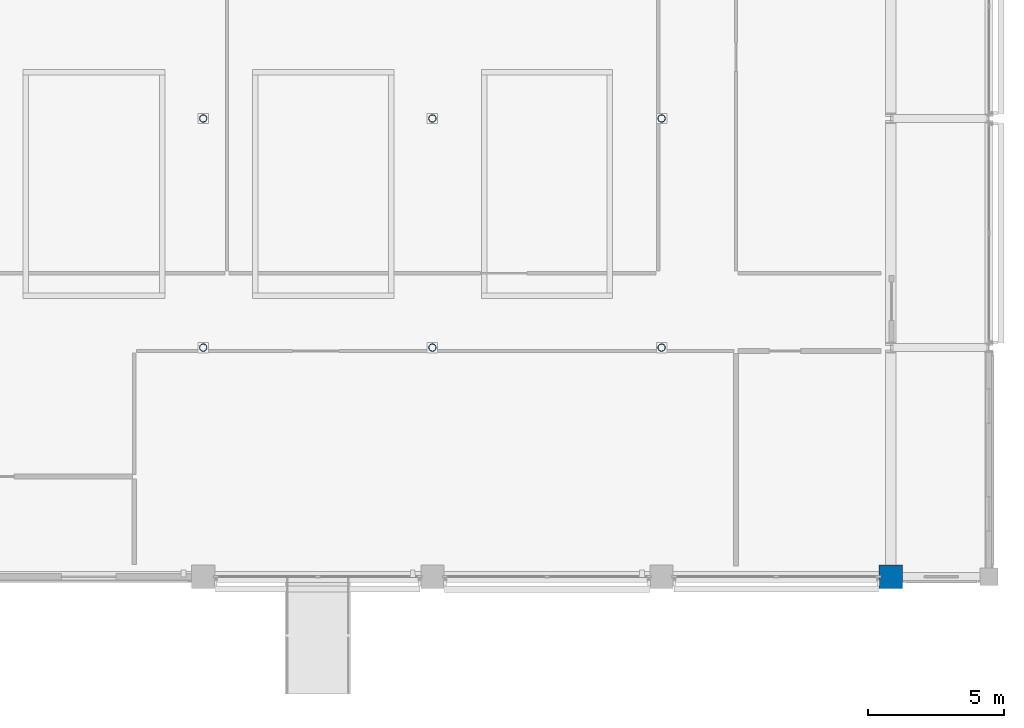
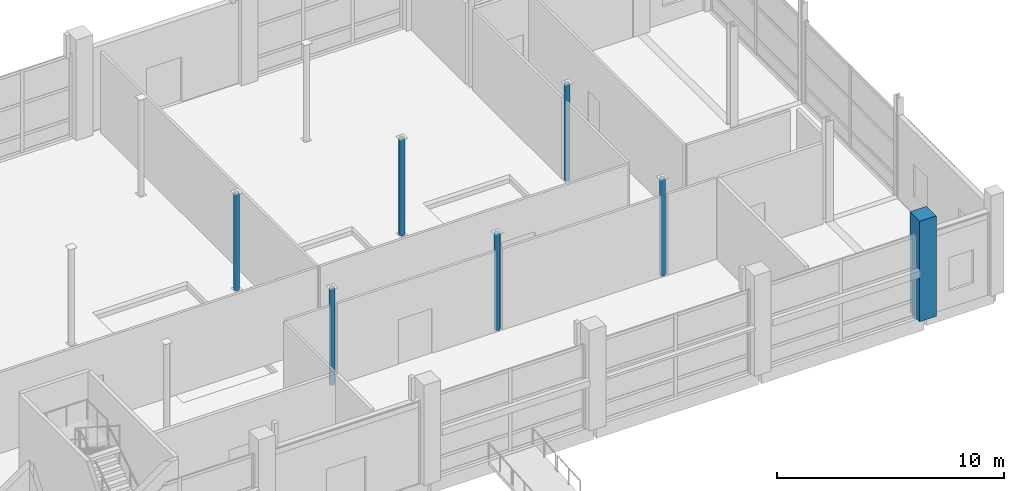
# One storey, part 14 of 140: 7 columns.
"""IFC4 building model written with IfcOpenShell, lengths in metres."""

from ifc_helpers import new_model, si_unit, direction, frame, origin, origin_2d, place, context, subcontext, project, spatial, rectangle, hollow_circle, extrude, material, material_profile, profile_set, type_object, element, save


model = new_model("IFC4")

# Units and contexts
model_context = context("Model", 3, precision=1e-05, world=origin(), true_north=direction((0.0, 1.0)))
body_context = subcontext(model_context, "Body", "Model", "MODEL_VIEW")
ifc_project = project(units=[si_unit("LENGTHUNIT", "METRE"), si_unit("AREAUNIT", "SQUARE_METRE"), si_unit("VOLUMEUNIT", "CUBIC_METRE"), si_unit("PLANEANGLEUNIT", "RADIAN"), si_unit("MASSUNIT", "GRAM", prefix="KILO")], contexts=[model_context])

# Site, building, storey
site_placement = place(None, origin())
site = spatial("IfcSite", under=ifc_project, at=site_placement, CompositionType="ELEMENT")
building_placement = place(site_placement, origin())
building = spatial("IfcBuilding", under=site, at=building_placement, Name="Telukmera Botanical Conservatory", CompositionType="ELEMENT")
storey_placement = place(building_placement, origin())
storey = spatial("IfcBuildingStorey", under=building, at=storey_placement, Name="L00", CompositionType="ELEMENT", Elevation=0.0)

# Columns
ifc_material_1 = material(Name="Concrete C50/60", Category="concrete")
ifc_material_profile_1 = material_profile(ifc_material_1, rectangle(XDim=0.85009765625, YDim=0.85009765625, at=origin_2d()), Name="RC 850x850")
ifc_profile_set_1 = profile_set([ifc_material_profile_1], Name="Concrete C50/60")
column_type_1 = type_object("IfcColumnType", Name="Col_C6", PredefinedType="COLUMN", material=ifc_profile_set_1)
column_placement = place(storey_placement, frame((168.0, 17.60009765625, 0.0), z_axis=(0.0, 0.0, 1.0), x_axis=(1.0, 0.0, 0.0)))
element("IfcColumn", 1, at=column_placement, inside=storey, type_object=column_type_1, Name="Column V1-L00 (168.0,17.6)", PredefinedType="COLUMN", context=body_context, shape_type="SweptSolid", body=[
    extrude(rectangle(XDim=0.85009765625, YDim=0.85009765625, at=origin_2d()), origin(), (0.0, 0.0, 1.0), 5.39990234375),
])
ifc_material_2 = material(Name="Steel S355", Category="steel")
ifc_material_profile_2 = material_profile(ifc_material_2, hollow_circle(Radius=0.136474609375, WallThickness=0.010009765625, at=origin_2d()), Name="CHS 273.0x10.0")
ifc_profile_set_2 = profile_set([ifc_material_profile_2], Name="Steel S355")
column_type_2 = type_object("IfcColumnType", Name="Col_SC2", PredefinedType="COLUMN", material=ifc_profile_set_2)
for number, where, z_axis, x_axis, name in (
    (2, (142.800048828125, 26.0, 0.0), (0.0, 0.0, 1.0), (1.0, 0.0, 0.0), "Column V1-L00 (142.8,26.0)"),
    (3, (142.800048828125, 34.39990234375, 0.0), (0.0, 0.0, 1.0), (1.0, 0.0, 0.0), "Column V1-L00 (142.8,34.4)"),
    (4, (151.199951171875, 26.0, 0.0), (0.0, 0.0, 1.0), (1.0, 0.0, 0.0), "Column V1-L00 (151.2,26.0)"),
    (5, (151.199951171875, 34.39990234375, 0.0), (0.0, 0.0, 1.0), (1.0, 0.0, 0.0), "Column V1-L00 (151.2,34.4)"),
    (6, (159.60009765625, 26.0, 0.0), (0.0, 0.0, 1.0), (1.0, 0.0, 0.0), "Column V1-L00 (159.6,26.0)"),
    (7, (159.60009765625, 34.39990234375, 0.0), (0.0, 0.0, 1.0), (1.0, 0.0, 0.0), "Column V1-L00 (159.6,34.4)"),
):
    element("IfcColumn", number, at=place(storey_placement, frame(where, z_axis=z_axis, x_axis=x_axis)), inside=storey, type_object=column_type_2, Name=name, PredefinedType="COLUMN", context=body_context, shape_type="SweptSolid", body=[
        extrude(hollow_circle(Radius=0.136474609375, WallThickness=0.010009765625, at=origin_2d()), origin(), (0.0, 0.0, 1.0), 5.199951171875),
    ])

save(model, "model.ifc")
